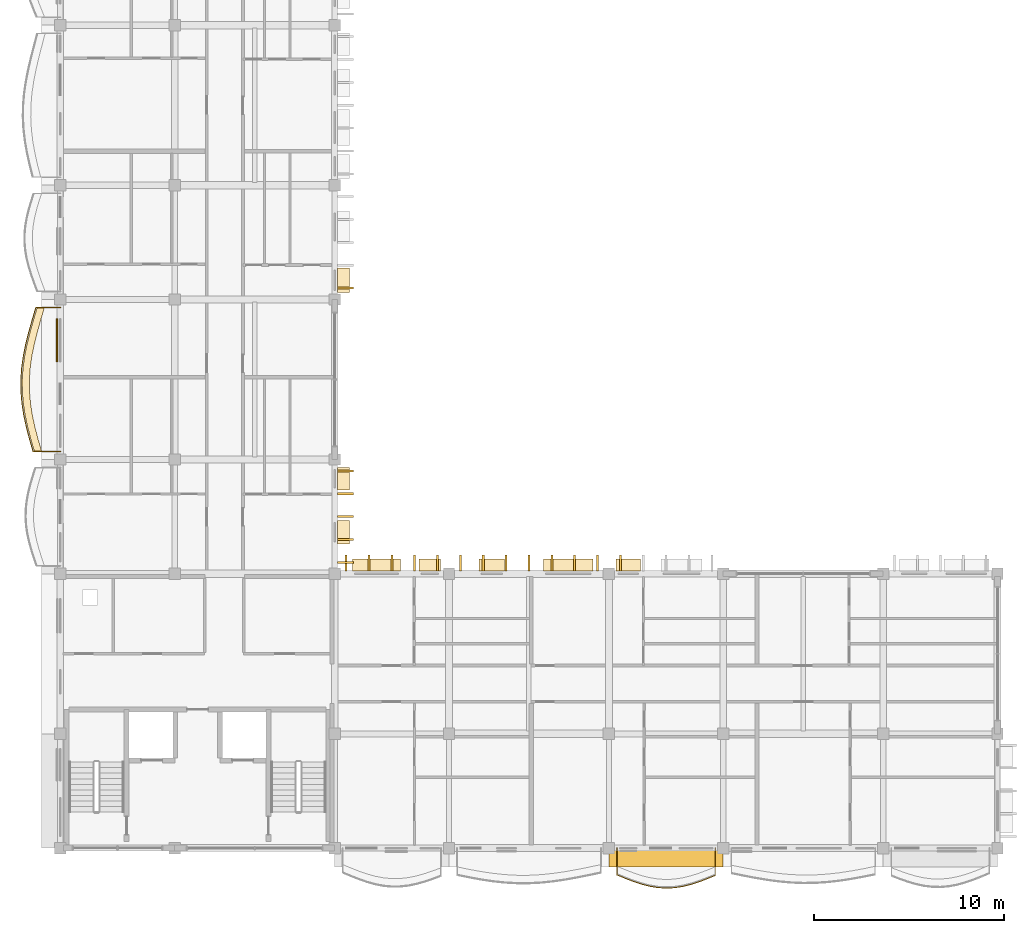
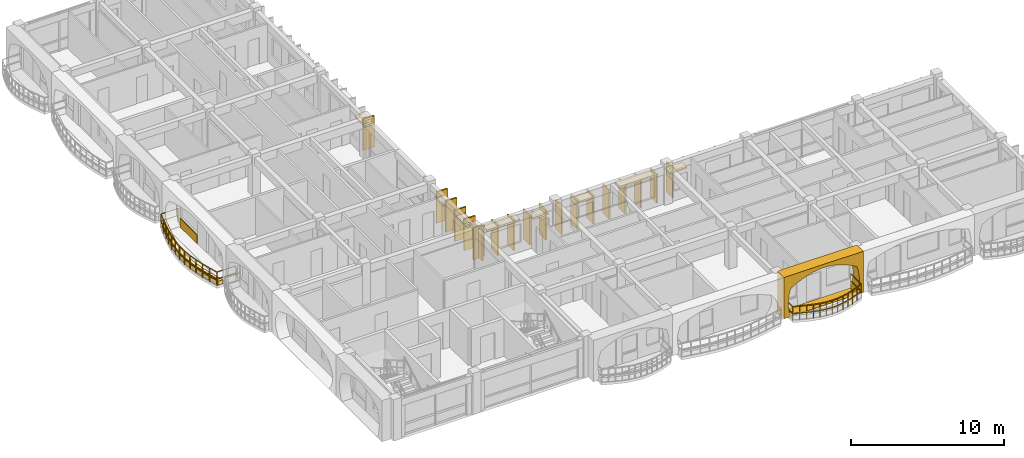
# One storey, part 51 of 76: 30 coverings, 2 railings.
"""IFC4 building model written with IfcOpenShell, lengths in metres."""

from ifc_helpers import new_model, si_unit, direction, frame, origin, origin_2d, place, context, subcontext, project, spatial, polyline, rectangle, outline, extrude, material, layer, layer_set, type_object, element, save


model = new_model("IFC4")

# Units and contexts
model_context = context("Model", 3, precision=1e-05, world=origin(), true_north=direction((0.0, 1.0)))
body_context = subcontext(model_context, "Body", "Model", "MODEL_VIEW")
ifc_project = project(units=[si_unit("LENGTHUNIT", "METRE"), si_unit("AREAUNIT", "SQUARE_METRE"), si_unit("VOLUMEUNIT", "CUBIC_METRE"), si_unit("PLANEANGLEUNIT", "RADIAN"), si_unit("MASSUNIT", "GRAM", prefix="KILO"), si_unit("THERMODYNAMICTEMPERATUREUNIT", "KELVIN")], contexts=[model_context])

# Site, building, storey
site_placement = place(None, origin())
site = spatial("IfcSite", under=ifc_project, at=site_placement, CompositionType="ELEMENT")
building_placement = place(site_placement, origin())
building = spatial("IfcBuilding", under=site, at=building_placement, Name="Thalorik Housing Commons", CompositionType="ELEMENT")
storey_placement = place(building_placement, frame((0.0, 0.0, 18.0)))
storey = spatial("IfcBuildingStorey", under=building, at=storey_placement, Name="L05", CompositionType="ELEMENT", Elevation=18.0)

# Coverings
ifc_material_1 = material(Name="Precast concrete C40/50", Category="concrete")
ifc_layer_1 = layer(ifc_material_1, 0.85009765625, Name="Precast concrete C40/50", Category="concrete")
ifc_layer_set_1 = layer_set([ifc_layer_1], Name="Precast concrete C40/50")
covering_type_1 = type_object("IfcCoveringType", Name="ARC-CLD-CUSH-850", PredefinedType="CLADDING", material=ifc_layer_set_1)
covering_1_placement = place(storey_placement, frame((40.199951171875, 7.83740234375, 0.0), z_axis=(0.0, 0.0, 1.0), x_axis=(1.0, 0.0, 0.0)))
element("IfcCovering", 1, at=covering_1_placement, inside=storey, type_object=covering_type_1, Name="L05 White Precast Curved Cushion Bay Frame 3974", PredefinedType="CLADDING", context=body_context, shape_type="SweptSolid", body=[
    extrude(outline(polyline([(-3.0, 0.0), (3.0, 0.0), (3.0, 3.300048828125), (-3.0, 3.300048828125), (-3.0, 0.0)]), holes=[polyline([(2.510009765625, 0.02490234375), (2.61328125, 0.394287109375), (2.675537109375, 0.76318359375), (2.6962890625, 1.132568359375), (2.675537109375, 1.501708984375), (2.61328125, 1.870849609375), (2.510009765625, 2.239990234375), (2.09423828125, 2.4833984375), (1.67822265625, 2.6748046875), (1.262451171875, 2.82958984375), (0.8466796875, 2.94482421875), (0.430908203125, 3.01611328125), (0.014892578125, 3.0400390625), (-0.40087890625, 3.01611328125), (-0.816650390625, 2.94482421875), (-1.232421875, 2.82958984375), (-1.648193359375, 2.6748046875), (-2.064208984375, 2.4833984375), (-2.47998046875, 2.239990234375), (-2.58984375, 1.870849609375), (-2.655517578125, 1.501708984375), (-2.677490234375, 1.132568359375), (-2.655517578125, 0.76318359375), (-2.58984375, 0.394287109375), (-2.47998046875, 0.02490234375), (2.510009765625, 0.02490234375)])]), frame((0.0, 0.425048828125, 0.0), z_axis=(0.0, -1.0, 0.0), x_axis=(1.0, 0.0, 0.0)), (0.0, 0.0, 1.0), 0.85009765625),
])
ifc_layer_2 = layer(ifc_material_1, 0.85009765625, Name="Precast concrete C40/50", Category="concrete")
ifc_layer_set_2 = layer_set([ifc_layer_2], Name="Precast concrete C40/50")
covering_type_2 = type_object("IfcCoveringType", Name="ARC-CLD-FIN-850", PredefinedType="CLADDING", material=ifc_layer_set_2)
for number, where, z_axis, x_axis, name in (
    (2, (23.362548828125, 23.39990234375, 0.0400390625), (0.0, 0.0, 1.0), (0.0, 1.0, 0.0), "L05 Courtyard Precast Vertical Brise-Soleil Fin 3914"),
    (3, (23.362548828125, 24.60009765625, 0.0400390625), (0.0, 0.0, 1.0), (0.0, 1.0, 0.0), "L05 Courtyard Precast Vertical Brise-Soleil Fin 3915"),
    (4, (23.362548828125, 25.800048828125, 0.0400390625), (0.0, 0.0, 1.0), (0.0, 1.0, 0.0), "L05 Courtyard Precast Vertical Brise-Soleil Fin 3916"),
    (5, (23.362548828125, 27.0, 0.0400390625), (0.0, 0.0, 1.0), (0.0, 1.0, 0.0), "L05 Courtyard Precast Vertical Brise-Soleil Fin 3917"),
    (6, (23.362548828125, 28.199951171875, 0.0400390625), (0.0, 0.0, 1.0), (0.0, 1.0, 0.0), "L05 Courtyard Precast Vertical Brise-Soleil Fin 3918"),
    (7, (23.362548828125, 37.800048828125, 0.0400390625), (0.0, 0.0, 1.0), (0.0, 1.0, 0.0), "L05 Courtyard Precast Vertical Brise-Soleil Fin 3921"),
):
    element("IfcCovering", number, at=place(storey_placement, frame(where, z_axis=z_axis, x_axis=x_axis)), inside=storey, type_object=covering_type_2, Name=name, PredefinedType="CLADDING", context=body_context, shape_type="SweptSolid", body=[
        extrude(rectangle(XDim=0.110107421875, YDim=0.85009765625, at=origin_2d()), origin(), (0.0, 0.0, 1.0), 2.4951171875),
    ])
covering_2_placement = place(storey_placement, frame((37.800048828125, 23.362548828125, 0.0400390625), z_axis=(0.0, 0.0, 1.0), x_axis=(-1.0, 0.0, 0.0)))
element("IfcCovering", 8, at=covering_2_placement, inside=storey, type_object=covering_type_2, Name="L05 Courtyard Precast Vertical Brise-Soleil Fin 3998", PredefinedType="CLADDING", context=body_context, shape_type="SweptSolid", body=[
    extrude(rectangle(XDim=0.110107421875, YDim=0.85009765625, at=origin_2d()), origin(), (0.0, 0.0, 1.0), 2.39501953125),
])
for number, where, z_axis, x_axis, name in (
    (9, (36.60009765625, 23.362548828125, 0.0400390625), (0.0, 0.0, 1.0), (-1.0, 0.0, 0.0), "L05 Courtyard Precast Vertical Brise-Soleil Fin 4001"),
    (10, (35.39990234375, 23.362548828125, 0.0400390625), (0.0, 0.0, 1.0), (-1.0, 0.0, 0.0), "L05 Courtyard Precast Vertical Brise-Soleil Fin 4002"),
    (11, (34.199951171875, 23.362548828125, 0.0400390625), (0.0, 0.0, 1.0), (-1.0, 0.0, 0.0), "L05 Courtyard Precast Vertical Brise-Soleil Fin 4003"),
    (12, (33.0, 23.362548828125, 0.0400390625), (0.0, 0.0, 1.0), (-1.0, 0.0, 0.0), "L05 Courtyard Precast Vertical Brise-Soleil Fin 4004"),
    (13, (31.800048828125, 23.362548828125, 0.0400390625), (0.0, 0.0, 1.0), (-1.0, 0.0, 0.0), "L05 Courtyard Precast Vertical Brise-Soleil Fin 4005"),
    (14, (30.60009765625, 23.362548828125, 0.0400390625), (0.0, 0.0, 1.0), (-1.0, 0.0, 0.0), "L05 Courtyard Precast Vertical Brise-Soleil Fin 4006"),
    (15, (29.39990234375, 23.362548828125, 0.0400390625), (0.0, 0.0, 1.0), (-1.0, 0.0, 0.0), "L05 Courtyard Precast Vertical Brise-Soleil Fin 4007"),
):
    element("IfcCovering", number, at=place(storey_placement, frame(where, z_axis=z_axis, x_axis=x_axis)), inside=storey, type_object=covering_type_2, Name=name, PredefinedType="CLADDING", context=body_context, shape_type="SweptSolid", body=[
        extrude(rectangle(XDim=0.110107421875, YDim=0.85009765625, at=origin_2d()), origin(), (0.0, 0.0, 1.0), 2.294921875),
    ])
for number, where, z_axis, x_axis, name in (
    (16, (28.199951171875, 23.362548828125, 0.0400390625), (0.0, 0.0, 1.0), (-1.0, 0.0, 0.0), "L05 Courtyard Precast Vertical Brise-Soleil Fin 4010"),
    (17, (27.0, 23.362548828125, 0.0400390625), (0.0, 0.0, 1.0), (-1.0, 0.0, 0.0), "L05 Courtyard Precast Vertical Brise-Soleil Fin 4011"),
    (18, (25.800048828125, 23.362548828125, 0.0400390625), (0.0, 0.0, 1.0), (-1.0, 0.0, 0.0), "L05 Courtyard Precast Vertical Brise-Soleil Fin 4012"),
    (19, (24.60009765625, 23.362548828125, 0.0400390625), (0.0, 0.0, 1.0), (-1.0, 0.0, 0.0), "L05 Courtyard Precast Vertical Brise-Soleil Fin 4013"),
    (20, (23.39990234375, 23.362548828125, 0.0400390625), (0.0, 0.0, 1.0), (-1.0, 0.0, 0.0), "L05 Courtyard Precast Vertical Brise-Soleil Fin 4014"),
):
    element("IfcCovering", number, at=place(storey_placement, frame(where, z_axis=z_axis, x_axis=x_axis)), inside=storey, type_object=covering_type_2, Name=name, PredefinedType="CLADDING", context=body_context, shape_type="SweptSolid", body=[
        extrude(rectangle(XDim=0.110107421875, YDim=0.85009765625, at=origin_2d()), origin(), (0.0, 0.0, 1.0), 2.39501953125),
    ])
ifc_layer_3 = layer(ifc_material_1, 0.64990234375, Name="Precast concrete C40/50", Category="concrete")
ifc_layer_set_3 = layer_set([ifc_layer_3], Name="Precast concrete C40/50")
covering_type_3 = type_object("IfcCoveringType", Name="ARC-CLD-HOOD-650", PredefinedType="CLADDING", material=ifc_layer_set_3)
covering_3_placement = place(storey_placement, frame((23.262451171875, 24.9853515625, 2.0400390625), z_axis=(0.0, 0.0, 1.0), x_axis=(0.0, 1.0, 0.0)))
element("IfcCovering", 21, at=covering_3_placement, inside=storey, type_object=covering_type_3, Name="L05 Courtyard Precast Window Sun-Hood 3919", PredefinedType="CLADDING", context=body_context, shape_type="SweptSolid", body=[
    extrude(rectangle(XDim=1.239990234375, YDim=0.64990234375, at=origin_2d()), origin(), (0.0, 0.0, 1.0), 0.139892578125),
])
covering_4_placement = place(storey_placement, frame((23.262451171875, 27.79541015625, 1.93994140625), z_axis=(0.0, 0.0, 1.0), x_axis=(0.0, 1.0, 0.0)))
element("IfcCovering", 22, at=covering_4_placement, inside=storey, type_object=covering_type_3, Name="L05 Courtyard Precast Window Sun-Hood 3920", PredefinedType="CLADDING", context=body_context, shape_type="SweptSolid", body=[
    extrude(rectangle(XDim=1.18994140625, YDim=0.64990234375, at=origin_2d()), origin(), (0.0, 0.0, 1.0), 0.139892578125),
])
for number, where, z_axis, x_axis, name in (
    (23, (23.262451171875, 38.201416015625, 1.990234375), (0.0, 0.0, 1.0), (0.0, 1.0, 0.0), "L05 Courtyard Precast Window Sun-Hood 3926"),
    (24, (38.201416015625, 23.262451171875, 1.990234375), (0.0, 0.0, 1.0), (-1.0, 0.0, 0.0), "L05 Courtyard Precast Window Sun-Hood 4000"),
):
    element("IfcCovering", number, at=place(storey_placement, frame(where, z_axis=z_axis, x_axis=x_axis)), inside=storey, type_object=covering_type_3, Name=name, PredefinedType="CLADDING", context=body_context, shape_type="SweptSolid", body=[
        extrude(rectangle(XDim=1.2900390625, YDim=0.64990234375, at=origin_2d()), origin(), (0.0, 0.0, 1.0), 0.139892578125),
    ])
covering_5_placement = place(storey_placement, frame((35.06494140625, 23.262451171875, 2.22509765625), z_axis=(0.0, 0.0, 1.0), x_axis=(-1.0, 0.0, 0.0)))
element("IfcCovering", 25, at=covering_5_placement, inside=storey, type_object=covering_type_3, Name="L05 Courtyard Precast Window Sun-Hood 4008", PredefinedType="CLADDING", context=body_context, shape_type="SweptSolid", body=[
    extrude(rectangle(XDim=2.6201171875, YDim=0.64990234375, at=origin_2d()), origin(), (0.0, 0.0, 1.0), 0.139892578125),
])
covering_6_placement = place(storey_placement, frame((31.054931640625, 23.262451171875, 2.08984375), z_axis=(0.0, 0.0, 1.0), x_axis=(-1.0, 0.0, 0.0)))
element("IfcCovering", 26, at=covering_6_placement, inside=storey, type_object=covering_type_3, Name="L05 Courtyard Precast Window Sun-Hood 4009", PredefinedType="CLADDING", context=body_context, shape_type="SweptSolid", body=[
    extrude(rectangle(XDim=1.340087890625, YDim=0.64990234375, at=origin_2d()), origin(), (0.0, 0.0, 1.0), 0.139892578125),
])
covering_7_placement = place(storey_placement, frame((27.79541015625, 23.262451171875, 1.990234375), z_axis=(0.0, 0.0, 1.0), x_axis=(-1.0, 0.0, 0.0)))
element("IfcCovering", 27, at=covering_7_placement, inside=storey, type_object=covering_type_3, Name="L05 Courtyard Precast Window Sun-Hood 4015", PredefinedType="CLADDING", context=body_context, shape_type="SweptSolid", body=[
    extrude(rectangle(XDim=1.139892578125, YDim=0.64990234375, at=origin_2d()), origin(), (0.0, 0.0, 1.0), 0.139892578125),
])
covering_8_placement = place(storey_placement, frame((24.9853515625, 23.262451171875, 2.25), z_axis=(0.0, 0.0, 1.0), x_axis=(-1.0, 0.0, 0.0)))
element("IfcCovering", 28, at=covering_8_placement, inside=storey, type_object=covering_type_3, Name="L05 Courtyard Precast Window Sun-Hood 4016", PredefinedType="CLADDING", context=body_context, shape_type="SweptSolid", body=[
    extrude(rectangle(XDim=2.52001953125, YDim=0.64990234375, at=origin_2d()), origin(), (0.0, 0.0, 1.0), 0.139892578125),
])
ifc_material_2 = material(Name="Mineral ochre architectural terracotta panel", Category="masonry")
ifc_layer_4 = layer(ifc_material_2, 0.06494140625, Name="Mineral ochre architectural terracotta panel", Category="masonry")
ifc_layer_set_4 = layer_set([ifc_layer_4], Name="Mineral ochre architectural terracotta panel")
covering_type_4 = type_object("IfcCoveringType", Name="ARC-CLD-YEL-65", PredefinedType="CLADDING", material=ifc_layer_set_4)
covering_9_placement = place(storey_placement, frame((8.22509765625, 35.06494140625, 0.0498046875), z_axis=(0.0, 0.0, 1.0), x_axis=(0.0, -1.0, 0.0)))
element("IfcCovering", 29, at=covering_9_placement, inside=storey, type_object=covering_type_4, Name="L05 De Stijl Recessed Window Spandrel 3963", PredefinedType="CLADDING", context=body_context, shape_type="SweptSolid", body=[
    extrude(rectangle(XDim=2.239990234375, YDim=0.06494140625, at=origin_2d()), origin(), (0.0, 0.0, 1.0), 0.699951171875),
])
ifc_material_3 = material(Name="Planted vegetated substrate and terracotta trough", Category="masonry")
ifc_layer_5 = layer(ifc_material_3, 0.340087890625, Name="Planted vegetated substrate and terracotta trough", Category="masonry")
ifc_layer_set_5 = layer_set([ifc_layer_5], Name="Planted vegetated substrate and terracotta trough")
covering_type_5 = type_object("IfcCoveringType", Name="ARC-COV-PLANTER", PredefinedType="USERDEFINED", material=ifc_layer_set_5)
covering_10_placement = place(storey_placement, origin())
element("IfcCovering", 30, at=covering_10_placement, inside=storey, type_object=covering_type_5, Name="L05 Balcony Slab-Edge Planted Trough 5598", ObjectType="PLANTER", PredefinedType="USERDEFINED", context=body_context, shape_type="SweptSolid", body=[
    extrude(outline(polyline([(7.1806640625, 36.780029296875), (6.9951171875, 36.14990234375), (6.816650390625, 35.52001953125), (6.657470703125, 34.889892578125), (6.5283203125, 34.260009765625), (6.438720703125, 33.6298828125), (6.39453125, 33.0), (6.3994140625, 32.3701171875), (6.45263671875, 31.739990234375), (6.551025390625, 31.110107421875), (6.6875, 30.47998046875), (6.85302734375, 29.85009765625), (7.0361328125, 29.219970703125), (7.416259765625, 29.219970703125), (7.233154296875, 29.85009765625), (7.067626953125, 30.47998046875), (6.930908203125, 31.110107421875), (6.83251953125, 31.739990234375), (6.779296875, 32.3701171875), (6.774658203125, 33.0), (6.818603515625, 33.6298828125), (6.908203125, 34.260009765625), (7.037353515625, 34.889892578125), (7.19677734375, 35.52001953125), (7.375244140625, 36.14990234375), (7.560546875, 36.780029296875), (7.1806640625, 36.780029296875)])), origin(), (0.0, 0.0, 1.0), 0.340087890625),
])

# Railings
ifc_material_4 = material(Name="Steel S355", Category="steel")
railing_type = type_object("IfcRailingType", Name="ARC-RL-BAL-112", PredefinedType="BALUSTRADE", material=ifc_material_4)
railing_1_placement = place(storey_placement, frame((8.39990234375, 36.780029296875, 0.0)))
element("IfcRailing", 31, at=railing_1_placement, inside=storey, type_object=railing_type, Name="L05 Cushion Balcony Guardrail 282", PredefinedType="BALUSTRADE", context=body_context, shape_type="SweptSolid", body=[
    extrude(rectangle(XDim=0.050048828125, YDim=0.050048828125, at=origin_2d()), frame((0.0, 0.0, 1.09521484375), z_axis=(-1.0, 0.0, 0.0), x_axis=(0.0, -1.0, 0.0)), (0.0, 0.0, 1.0), 1.289306640625),
    extrude(rectangle(XDim=0.050048828125, YDim=0.050048828125, at=origin_2d()), frame((0.0, 0.0, 0.53515625), z_axis=(-1.0, 0.0, 0.0), x_axis=(0.0, -1.0, 0.0)), (0.0, 0.0, 1.0), 1.289306640625),
    extrude(rectangle(XDim=0.050048828125, YDim=0.050048828125, at=origin_2d()), frame((-1.289306640625, 0.0, 1.09521484375), z_axis=(-0.282126075149, -0.959377338549, 0.0), x_axis=(0.959377338549, -0.282126075149, 0.0)), (0.0, 0.0, 1.0), 0.65673828125),
    extrude(rectangle(XDim=0.050048828125, YDim=0.050048828125, at=origin_2d()), frame((-1.289306640625, 0.0, 0.53515625), z_axis=(-0.282126075149, -0.959377338549, 0.0), x_axis=(0.959377338549, -0.282126075149, 0.0)), (0.0, 0.0, 1.0), 0.65673828125),
    extrude(rectangle(XDim=0.050048828125, YDim=0.050048828125, at=origin_2d()), frame((-1.474609375, -0.630126953125, 1.09521484375), z_axis=(-0.272947724844, -0.962028866252, 0.0), x_axis=(0.962028866252, -0.272947724844, 0.0)), (0.0, 0.0, 1.0), 0.65478515625),
    extrude(rectangle(XDim=0.050048828125, YDim=0.050048828125, at=origin_2d()), frame((-1.474609375, -0.630126953125, 0.53515625), z_axis=(-0.272947724844, -0.962028866252, 0.0), x_axis=(0.962028866252, -0.272947724844, 0.0)), (0.0, 0.0, 1.0), 0.65478515625),
    extrude(rectangle(XDim=0.050048828125, YDim=0.050048828125, at=origin_2d()), frame((-1.6533203125, -1.260009765625, 1.09521484375), z_axis=(-0.244921349705, -0.969542950291, 0.0), x_axis=(0.969542950291, -0.244921349705, 0.0)), (0.0, 0.0, 1.0), 0.64990234375),
    extrude(rectangle(XDim=0.050048828125, YDim=0.050048828125, at=origin_2d()), frame((-1.6533203125, -1.260009765625, 0.53515625), z_axis=(-0.244921349705, -0.969542950291, 0.0), x_axis=(0.969542950291, -0.244921349705, 0.0)), (0.0, 0.0, 1.0), 0.64990234375),
    extrude(rectangle(XDim=0.050048828125, YDim=0.050048828125, at=origin_2d()), frame((-1.8125, -1.89013671875, 1.09521484375), z_axis=(-0.200860058517, -0.979619945128, 0.0), x_axis=(0.979619945128, -0.200860058517, 0.0)), (0.0, 0.0, 1.0), 0.64306640625),
    extrude(rectangle(XDim=0.050048828125, YDim=0.050048828125, at=origin_2d()), frame((-1.8125, -1.89013671875, 0.53515625), z_axis=(-0.200860058517, -0.979619945128, 0.0), x_axis=(0.979619945128, -0.200860058517, 0.0)), (0.0, 0.0, 1.0), 0.64306640625),
    extrude(rectangle(XDim=0.050048828125, YDim=0.050048828125, at=origin_2d()), frame((-1.941650390625, -2.52001953125, 1.09521484375), z_axis=(-0.140776897966, -0.990041345096, 0.0), x_axis=(0.990041345096, -0.140776897966, 0.0)), (0.0, 0.0, 1.0), 0.636474609375),
    extrude(rectangle(XDim=0.050048828125, YDim=0.050048828125, at=origin_2d()), frame((-1.941650390625, -2.52001953125, 0.53515625), z_axis=(-0.140776897966, -0.990041345096, 0.0), x_axis=(0.990041345096, -0.140776897966, 0.0)), (0.0, 0.0, 1.0), 0.636474609375),
    extrude(rectangle(XDim=0.050048828125, YDim=0.050048828125, at=origin_2d()), frame((-2.03125, -3.150146484375, 1.09521484375), z_axis=(-0.069598262849, -0.997575100836, 0.0), x_axis=(0.997575100836, -0.069598262849, 0.0)), (0.0, 0.0, 1.0), 0.63134765625),
    extrude(rectangle(XDim=0.050048828125, YDim=0.050048828125, at=origin_2d()), frame((-2.03125, -3.150146484375, 0.53515625), z_axis=(-0.069598262849, -0.997575100836, 0.0), x_axis=(0.997575100836, -0.069598262849, 0.0)), (0.0, 0.0, 1.0), 0.63134765625),
    extrude(rectangle(XDim=0.050048828125, YDim=0.050048828125, at=origin_2d()), frame((-2.0751953125, -3.780029296875, 1.09521484375), z_axis=(0.007364141396, -0.999972884343, 0.0), x_axis=(0.999972884343, 0.007364141396, 0.0)), (0.0, 0.0, 1.0), 0.6298828125),
    extrude(rectangle(XDim=0.050048828125, YDim=0.050048828125, at=origin_2d()), frame((-2.0751953125, -3.780029296875, 0.53515625), z_axis=(0.007364141396, -0.999972884343, 0.0), x_axis=(0.999972884343, 0.007364141396, 0.0)), (0.0, 0.0, 1.0), 0.6298828125),
    extrude(rectangle(XDim=0.050048828125, YDim=0.050048828125, at=origin_2d()), frame((-2.070556640625, -4.409912109375, 1.09521484375), z_axis=(0.084163705207, -0.996451941002, 0.0), x_axis=(0.996451941002, 0.084163705207, 0.0)), (0.0, 0.0, 1.0), 0.63232421875),
    extrude(rectangle(XDim=0.050048828125, YDim=0.050048828125, at=origin_2d()), frame((-2.070556640625, -4.409912109375, 0.53515625), z_axis=(0.084163705207, -0.996451941002, 0.0), x_axis=(0.996451941002, 0.084163705207, 0.0)), (0.0, 0.0, 1.0), 0.63232421875),
    extrude(rectangle(XDim=0.050048828125, YDim=0.050048828125, at=origin_2d()), frame((-2.017333984375, -5.0400390625, 1.09521484375), z_axis=(0.154330151775, -0.988019333947, 0.0), x_axis=(0.988019333947, 0.154330151775, 0.0)), (0.0, 0.0, 1.0), 0.637451171875),
    extrude(rectangle(XDim=0.050048828125, YDim=0.050048828125, at=origin_2d()), frame((-2.017333984375, -5.0400390625, 0.53515625), z_axis=(0.154330151775, -0.988019333947, 0.0), x_axis=(0.988019333947, 0.154330151775, 0.0)), (0.0, 0.0, 1.0), 0.637451171875),
    extrude(rectangle(XDim=0.050048828125, YDim=0.050048828125, at=origin_2d()), frame((-1.9189453125, -5.669921875, 1.09521484375), z_axis=(0.212036637638, -0.977261717402, 0.0), x_axis=(0.977261717402, 0.212036637638, 0.0)), (0.0, 0.0, 1.0), 0.644775390625),
    extrude(rectangle(XDim=0.050048828125, YDim=0.050048828125, at=origin_2d()), frame((-1.9189453125, -5.669921875, 0.53515625), z_axis=(0.212036637638, -0.977261717402, 0.0), x_axis=(0.977261717402, 0.212036637638, 0.0)), (0.0, 0.0, 1.0), 0.644775390625),
    extrude(rectangle(XDim=0.050048828125, YDim=0.050048828125, at=origin_2d()), frame((-1.7822265625, -6.300048828125, 1.09521484375), z_axis=(0.254161146498, -0.967161884904, 0.0), x_axis=(0.967161884904, 0.254161146498, 0.0)), (0.0, 0.0, 1.0), 0.6513671875),
    extrude(rectangle(XDim=0.050048828125, YDim=0.050048828125, at=origin_2d()), frame((-1.7822265625, -6.300048828125, 0.53515625), z_axis=(0.254161146498, -0.967161884904, 0.0), x_axis=(0.967161884904, 0.254161146498, 0.0)), (0.0, 0.0, 1.0), 0.6513671875),
    extrude(rectangle(XDim=0.050048828125, YDim=0.050048828125, at=origin_2d()), frame((-1.61669921875, -6.929931640625, 1.09521484375), z_axis=(0.279042632959, -0.960278714224, 0.0), x_axis=(0.960278714224, 0.279042632959, 0.0)), (0.0, 0.0, 1.0), 0.65625),
    extrude(rectangle(XDim=0.050048828125, YDim=0.050048828125, at=origin_2d()), frame((-1.61669921875, -6.929931640625, 0.53515625), z_axis=(0.279042632959, -0.960278714224, 0.0), x_axis=(0.960278714224, 0.279042632959, 0.0)), (0.0, 0.0, 1.0), 0.65625),
    extrude(rectangle(XDim=0.050048828125, YDim=0.050048828125, at=origin_2d()), frame((-1.43359375, -7.56005859375, 1.09521484375), z_axis=(1.0, 0.0, 0.0), x_axis=(0.0, 1.0, 0.0)), (0.0, 0.0, 1.0), 1.43359375),
    extrude(rectangle(XDim=0.050048828125, YDim=0.050048828125, at=origin_2d()), frame((-1.43359375, -7.56005859375, 0.53515625), z_axis=(1.0, 0.0, 0.0), x_axis=(0.0, 1.0, 0.0)), (0.0, 0.0, 1.0), 1.43359375),
    extrude(rectangle(XDim=0.0419921875, YDim=0.0419921875, at=origin_2d()), origin(), (0.0, 0.0, 1.0), 1.070068359375),
    extrude(rectangle(XDim=0.0419921875, YDim=0.0419921875, at=origin_2d()), frame((-1.289306640625, 0.0, 0.0)), (0.0, 0.0, 1.0), 1.070068359375),
    extrude(rectangle(XDim=0.0419921875, YDim=0.0419921875, at=origin_2d()), frame((-1.474609375, -0.630126953125, 0.0)), (0.0, 0.0, 1.0), 1.070068359375),
    extrude(rectangle(XDim=0.0419921875, YDim=0.0419921875, at=origin_2d()), frame((-1.6533203125, -1.260009765625, 0.0)), (0.0, 0.0, 1.0), 1.070068359375),
    extrude(rectangle(XDim=0.0419921875, YDim=0.0419921875, at=origin_2d()), frame((-1.8125, -1.89013671875, 0.0)), (0.0, 0.0, 1.0), 1.070068359375),
    extrude(rectangle(XDim=0.0419921875, YDim=0.0419921875, at=origin_2d()), frame((-1.941650390625, -2.52001953125, 0.0)), (0.0, 0.0, 1.0), 1.070068359375),
    extrude(rectangle(XDim=0.0419921875, YDim=0.0419921875, at=origin_2d()), frame((-2.03125, -3.150146484375, 0.0)), (0.0, 0.0, 1.0), 1.070068359375),
    extrude(rectangle(XDim=0.0419921875, YDim=0.0419921875, at=origin_2d()), frame((-2.0751953125, -3.780029296875, 0.0)), (0.0, 0.0, 1.0), 1.070068359375),
    extrude(rectangle(XDim=0.0419921875, YDim=0.0419921875, at=origin_2d()), frame((-2.070556640625, -4.409912109375, 0.0)), (0.0, 0.0, 1.0), 1.070068359375),
    extrude(rectangle(XDim=0.0419921875, YDim=0.0419921875, at=origin_2d()), frame((-2.017333984375, -5.0400390625, 0.0)), (0.0, 0.0, 1.0), 1.070068359375),
    extrude(rectangle(XDim=0.0419921875, YDim=0.0419921875, at=origin_2d()), frame((-1.9189453125, -5.669921875, 0.0)), (0.0, 0.0, 1.0), 1.070068359375),
    extrude(rectangle(XDim=0.0419921875, YDim=0.0419921875, at=origin_2d()), frame((-1.7822265625, -6.300048828125, 0.0)), (0.0, 0.0, 1.0), 1.070068359375),
    extrude(rectangle(XDim=0.0419921875, YDim=0.0419921875, at=origin_2d()), frame((-1.61669921875, -6.929931640625, 0.0)), (0.0, 0.0, 1.0), 1.070068359375),
    extrude(rectangle(XDim=0.0419921875, YDim=0.0419921875, at=origin_2d()), frame((-1.43359375, -7.56005859375, 0.0)), (0.0, 0.0, 1.0), 1.070068359375),
    extrude(rectangle(XDim=0.0419921875, YDim=0.0419921875, at=origin_2d()), frame((0.0, -7.56005859375, 0.0)), (0.0, 0.0, 1.0), 1.070068359375),
])
railing_2_placement = place(storey_placement, frame((37.6201171875, 8.39990234375, 0.0)))
element("IfcRailing", 32, at=railing_2_placement, inside=storey, type_object=railing_type, Name="L05 Cushion Balcony Guardrail 288", PredefinedType="BALUSTRADE", context=body_context, shape_type="SweptSolid", body=[
    extrude(rectangle(XDim=0.050048828125, YDim=0.050048828125, at=origin_2d()), frame((0.0, 0.0, 1.09521484375), z_axis=(0.0, -1.0, 0.0), x_axis=(1.0, 0.0, 0.0)), (0.0, 0.0, 1.0), 1.40576171875),
    extrude(rectangle(XDim=0.050048828125, YDim=0.050048828125, at=origin_2d()), frame((0.0, 0.0, 0.53515625), z_axis=(0.0, -1.0, 0.0), x_axis=(1.0, 0.0, 0.0)), (0.0, 0.0, 1.0), 1.40576171875),
    extrude(rectangle(XDim=0.050048828125, YDim=0.050048828125, at=origin_2d()), frame((0.0, -1.40576171875, 1.09521484375), z_axis=(0.923402379286, -0.383833356978, 0.0), x_axis=(0.383833356978, 0.923402379286, 0.0)), (0.0, 0.0, 1.0), 0.465576171875),
    extrude(rectangle(XDim=0.050048828125, YDim=0.050048828125, at=origin_2d()), frame((0.0, -1.40576171875, 0.53515625), z_axis=(0.923402379286, -0.383833356978, 0.0), x_axis=(0.383833356978, 0.923402379286, 0.0)), (0.0, 0.0, 1.0), 0.465576171875),
    extrude(rectangle(XDim=0.050048828125, YDim=0.050048828125, at=origin_2d()), frame((0.429931640625, -1.58447265625, 1.09521484375), z_axis=(0.9328669237, -0.360221185756, 0.0), x_axis=(0.360221185756, 0.9328669237, 0.0)), (0.0, 0.0, 1.0), 0.4609375),
    extrude(rectangle(XDim=0.050048828125, YDim=0.050048828125, at=origin_2d()), frame((0.429931640625, -1.58447265625, 0.53515625), z_axis=(0.9328669237, -0.360221185756, 0.0), x_axis=(0.360221185756, 0.9328669237, 0.0)), (0.0, 0.0, 1.0), 0.4609375),
    extrude(rectangle(XDim=0.050048828125, YDim=0.050048828125, at=origin_2d()), frame((0.85986328125, -1.75048828125, 1.09521484375), z_axis=(0.949167275855, -0.314772111925, 0.0), x_axis=(0.314772111925, 0.949167275855, 0.0)), (0.0, 0.0, 1.0), 0.452880859375),
    extrude(rectangle(XDim=0.050048828125, YDim=0.050048828125, at=origin_2d()), frame((0.85986328125, -1.75048828125, 0.53515625), z_axis=(0.949167275855, -0.314772111925, 0.0), x_axis=(0.314772111925, 0.949167275855, 0.0)), (0.0, 0.0, 1.0), 0.452880859375),
    extrude(rectangle(XDim=0.050048828125, YDim=0.050048828125, at=origin_2d()), frame((1.289794921875, -1.89306640625, 1.09521484375), z_axis=(0.968900882262, -0.247449147002, 0.0), x_axis=(0.247449147002, 0.968900882262, 0.0)), (0.0, 0.0, 1.0), 0.444091796875),
    extrude(rectangle(XDim=0.050048828125, YDim=0.050048828125, at=origin_2d()), frame((1.289794921875, -1.89306640625, 0.53515625), z_axis=(0.968900882262, -0.247449147002, 0.0), x_axis=(0.247449147002, 0.968900882262, 0.0)), (0.0, 0.0, 1.0), 0.444091796875),
    extrude(rectangle(XDim=0.050048828125, YDim=0.050048828125, at=origin_2d()), frame((1.719970703125, -2.0029296875, 1.09521484375), z_axis=(0.986978315282, -0.160853365409, 0.0), x_axis=(0.160853365409, 0.986978315282, 0.0)), (0.0, 0.0, 1.0), 0.435546875),
    extrude(rectangle(XDim=0.050048828125, YDim=0.050048828125, at=origin_2d()), frame((1.719970703125, -2.0029296875, 0.53515625), z_axis=(0.986978315282, -0.160853365409, 0.0), x_axis=(0.160853365409, 0.986978315282, 0.0)), (0.0, 0.0, 1.0), 0.435546875),
    extrude(rectangle(XDim=0.050048828125, YDim=0.050048828125, at=origin_2d()), frame((2.14990234375, -2.072998046875, 1.09521484375), z_axis=(0.998193305076, -0.0600843216, 0.0), x_axis=(0.0600843216, 0.998193305076, 0.0)), (0.0, 0.0, 1.0), 0.4306640625),
    extrude(rectangle(XDim=0.050048828125, YDim=0.050048828125, at=origin_2d()), frame((2.14990234375, -2.072998046875, 0.53515625), z_axis=(0.998193305076, -0.0600843216, 0.0), x_axis=(0.0600843216, 0.998193305076, 0.0)), (0.0, 0.0, 1.0), 0.4306640625),
    extrude(rectangle(XDim=0.050048828125, YDim=0.050048828125, at=origin_2d()), frame((2.579833984375, -2.098876953125, 1.09521484375), z_axis=(0.998917635712, 0.046514052316, 0.0), x_axis=(-0.046514052316, 0.998917635712, 0.0)), (0.0, 0.0, 1.0), 0.430419921875),
    extrude(rectangle(XDim=0.050048828125, YDim=0.050048828125, at=origin_2d()), frame((2.579833984375, -2.098876953125, 0.53515625), z_axis=(0.998917635712, 0.046514052316, 0.0), x_axis=(-0.046514052316, 0.998917635712, 0.0)), (0.0, 0.0, 1.0), 0.430419921875),
    extrude(rectangle(XDim=0.050048828125, YDim=0.050048828125, at=origin_2d()), frame((3.009765625, -2.078857421875, 1.09521484375), z_axis=(0.988961040609, 0.148175774529, 0.0), x_axis=(-0.148175774529, 0.988961040609, 0.0)), (0.0, 0.0, 1.0), 0.43505859375),
    extrude(rectangle(XDim=0.050048828125, YDim=0.050048828125, at=origin_2d()), frame((3.009765625, -2.078857421875, 0.53515625), z_axis=(0.988961040609, 0.148175774529, 0.0), x_axis=(-0.148175774529, 0.988961040609, 0.0)), (0.0, 0.0, 1.0), 0.43505859375),
    extrude(rectangle(XDim=0.050048828125, YDim=0.050048828125, at=origin_2d()), frame((3.43994140625, -2.014404296875, 1.09521484375), z_axis=(0.971585356615, 0.236689448034, 0.0), x_axis=(-0.236689448034, 0.971585356615, 0.0)), (0.0, 0.0, 1.0), 0.442626953125),
    extrude(rectangle(XDim=0.050048828125, YDim=0.050048828125, at=origin_2d()), frame((3.43994140625, -2.014404296875, 0.53515625), z_axis=(0.971585356615, 0.236689448034, 0.0), x_axis=(-0.236689448034, 0.971585356615, 0.0)), (0.0, 0.0, 1.0), 0.442626953125),
    extrude(rectangle(XDim=0.050048828125, YDim=0.050048828125, at=origin_2d()), frame((3.869873046875, -1.90966796875, 1.09521484375), z_axis=(0.95219157684, 0.305501556453, 0.0), x_axis=(-0.305501556453, 0.95219157684, 0.0)), (0.0, 0.0, 1.0), 0.451416015625),
    extrude(rectangle(XDim=0.050048828125, YDim=0.050048828125, at=origin_2d()), frame((3.869873046875, -1.90966796875, 0.53515625), z_axis=(0.95219157684, 0.305501556453, 0.0), x_axis=(-0.305501556453, 0.95219157684, 0.0)), (0.0, 0.0, 1.0), 0.451416015625),
    extrude(rectangle(XDim=0.050048828125, YDim=0.050048828125, at=origin_2d()), frame((4.2998046875, -1.771728515625, 1.09521484375), z_axis=(0.93576050096, 0.352636193324, 0.0), x_axis=(-0.352636193324, 0.93576050096, 0.0)), (0.0, 0.0, 1.0), 0.459716796875),
    extrude(rectangle(XDim=0.050048828125, YDim=0.050048828125, at=origin_2d()), frame((4.2998046875, -1.771728515625, 0.53515625), z_axis=(0.93576050096, 0.352636193324, 0.0), x_axis=(-0.352636193324, 0.93576050096, 0.0)), (0.0, 0.0, 1.0), 0.459716796875),
    extrude(rectangle(XDim=0.050048828125, YDim=0.050048828125, at=origin_2d()), frame((4.72998046875, -1.609619140625, 1.09521484375), z_axis=(0.925438093791, 0.37889884476, 0.0), x_axis=(-0.37889884476, 0.925438093791, 0.0)), (0.0, 0.0, 1.0), 0.464599609375),
    extrude(rectangle(XDim=0.050048828125, YDim=0.050048828125, at=origin_2d()), frame((4.72998046875, -1.609619140625, 0.53515625), z_axis=(0.925438093791, 0.37889884476, 0.0), x_axis=(-0.37889884476, 0.925438093791, 0.0)), (0.0, 0.0, 1.0), 0.464599609375),
    extrude(rectangle(XDim=0.050048828125, YDim=0.050048828125, at=origin_2d()), frame((5.159912109375, -1.43359375, 1.09521484375), z_axis=(0.0, 1.0, 0.0), x_axis=(-1.0, 0.0, 0.0)), (0.0, 0.0, 1.0), 1.43359375),
    extrude(rectangle(XDim=0.050048828125, YDim=0.050048828125, at=origin_2d()), frame((5.159912109375, -1.43359375, 0.53515625), z_axis=(0.0, 1.0, 0.0), x_axis=(-1.0, 0.0, 0.0)), (0.0, 0.0, 1.0), 1.43359375),
    extrude(rectangle(XDim=0.0419921875, YDim=0.0419921875, at=origin_2d()), origin(), (0.0, 0.0, 1.0), 1.070068359375),
    extrude(rectangle(XDim=0.0419921875, YDim=0.0419921875, at=origin_2d()), frame((0.0, -1.40576171875, 0.0)), (0.0, 0.0, 1.0), 1.070068359375),
    extrude(rectangle(XDim=0.0419921875, YDim=0.0419921875, at=origin_2d()), frame((0.429931640625, -1.58447265625, 0.0)), (0.0, 0.0, 1.0), 1.070068359375),
    extrude(rectangle(XDim=0.0419921875, YDim=0.0419921875, at=origin_2d()), frame((0.85986328125, -1.75048828125, 0.0)), (0.0, 0.0, 1.0), 1.070068359375),
    extrude(rectangle(XDim=0.0419921875, YDim=0.0419921875, at=origin_2d()), frame((1.289794921875, -1.89306640625, 0.0)), (0.0, 0.0, 1.0), 1.070068359375),
    extrude(rectangle(XDim=0.0419921875, YDim=0.0419921875, at=origin_2d()), frame((1.719970703125, -2.0029296875, 0.0)), (0.0, 0.0, 1.0), 1.070068359375),
    extrude(rectangle(XDim=0.0419921875, YDim=0.0419921875, at=origin_2d()), frame((2.14990234375, -2.072998046875, 0.0)), (0.0, 0.0, 1.0), 1.070068359375),
    extrude(rectangle(XDim=0.0419921875, YDim=0.0419921875, at=origin_2d()), frame((2.579833984375, -2.098876953125, 0.0)), (0.0, 0.0, 1.0), 1.070068359375),
    extrude(rectangle(XDim=0.0419921875, YDim=0.0419921875, at=origin_2d()), frame((3.009765625, -2.078857421875, 0.0)), (0.0, 0.0, 1.0), 1.070068359375),
    extrude(rectangle(XDim=0.0419921875, YDim=0.0419921875, at=origin_2d()), frame((3.43994140625, -2.014404296875, 0.0)), (0.0, 0.0, 1.0), 1.070068359375),
    extrude(rectangle(XDim=0.0419921875, YDim=0.0419921875, at=origin_2d()), frame((3.869873046875, -1.90966796875, 0.0)), (0.0, 0.0, 1.0), 1.070068359375),
    extrude(rectangle(XDim=0.0419921875, YDim=0.0419921875, at=origin_2d()), frame((4.2998046875, -1.771728515625, 0.0)), (0.0, 0.0, 1.0), 1.070068359375),
    extrude(rectangle(XDim=0.0419921875, YDim=0.0419921875, at=origin_2d()), frame((4.72998046875, -1.609619140625, 0.0)), (0.0, 0.0, 1.0), 1.070068359375),
    extrude(rectangle(XDim=0.0419921875, YDim=0.0419921875, at=origin_2d()), frame((5.159912109375, -1.43359375, 0.0)), (0.0, 0.0, 1.0), 1.070068359375),
    extrude(rectangle(XDim=0.0419921875, YDim=0.0419921875, at=origin_2d()), frame((5.159912109375, 0.0, 0.0)), (0.0, 0.0, 1.0), 1.070068359375),
])

save(model, "model.ifc")
